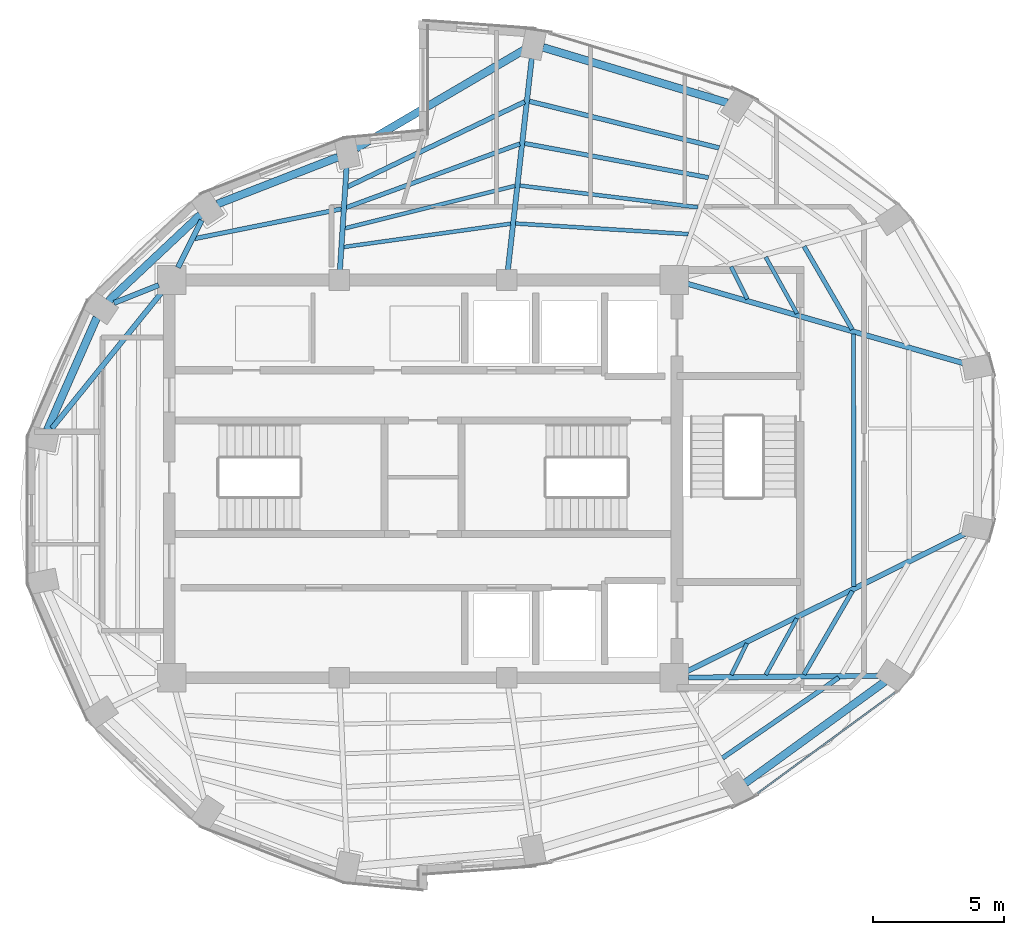
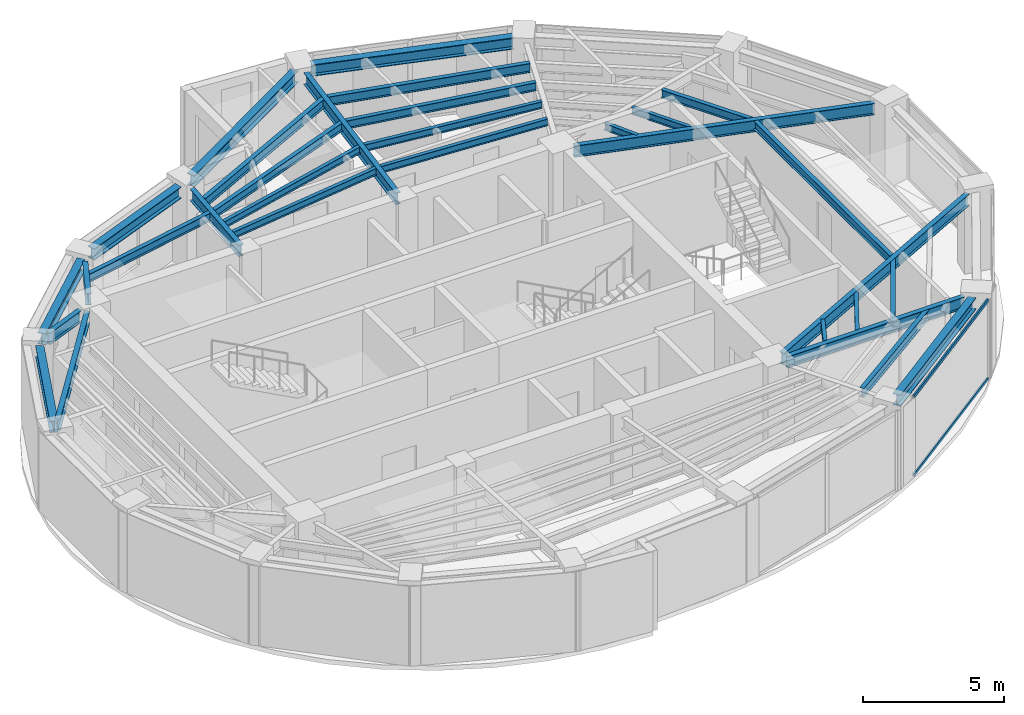
# One storey, part 3 of 13: 31 beams, 2 members, 1 element without a shape of its own.
"""IFC4 building model written with IfcOpenShell, lengths in metres."""

from ifc_helpers import new_model, si_unit, direction, frame, origin, origin_2d, place, context, subcontext, project, spatial, hollow_rectangle, i_section, extrude, material, layer, layer_set, material_profile, profile_set, type_object, element, aggregate, save


model = new_model("IFC4")

# Units and contexts
model_context = context("Model", 3, precision=1e-05, world=origin(), true_north=direction((0.0, 1.0)))
body_context = subcontext(model_context, "Body", "Model", "MODEL_VIEW")
ifc_project = project(units=[si_unit("LENGTHUNIT", "METRE"), si_unit("AREAUNIT", "SQUARE_METRE"), si_unit("VOLUMEUNIT", "CUBIC_METRE"), si_unit("PLANEANGLEUNIT", "RADIAN"), si_unit("MASSUNIT", "GRAM", prefix="KILO")], contexts=[model_context])

# Site, building, storey
site_placement = place(None, origin())
site = spatial("IfcSite", under=ifc_project, at=site_placement, CompositionType="ELEMENT")
building_placement = place(site_placement, origin())
building = spatial("IfcBuilding", under=site, at=building_placement, Name="Lazwardi Medical Tower", CompositionType="ELEMENT")
storey_placement = place(building_placement, frame((0.0, 0.0, 295.152099609375)))
storey = spatial("IfcBuildingStorey", under=building, at=storey_placement, Name="L77", CompositionType="ELEMENT", Elevation=295.152099609375)

# Beams
ifc_material_1 = material(Name="Steel S355", Category="steel")
ifc_material_profile_1 = material_profile(ifc_material_1, i_section(OverallWidth=0.300048828125, OverallDepth=0.5, WebThickness=0.014404296875, FlangeThickness=0.028076171875, at=origin_2d()), Name="HEB 500")
ifc_profile_set_1 = profile_set([ifc_material_profile_1], Name="Steel S355")
beam_type_1 = type_object("IfcBeamType", Name="BM-RB-Z4", PredefinedType="BEAM", material=ifc_profile_set_1)
beam_1_placement = place(storey_placement, frame((48.31591796875, 16.375244140625, 3.197998046875), z_axis=(0.808889916254, 0.587960120571, 0.0), x_axis=(-0.587960120571, 0.808889916254, 0.0)))
element("IfcBeam", 1, at=beam_1_placement, inside=storey, type_object=beam_type_1, Name="Ring beam RB-05 B02 L77", PredefinedType="BEAM", context=body_context, shape_type="SweptSolid", body=[
    extrude(i_section(OverallWidth=0.300048828125, OverallDepth=0.5, WebThickness=0.014404296875, FlangeThickness=0.028076171875, at=origin_2d()), origin(), (0.0, 0.0, 1.0), 6.587158203125),
])
beam_2_placement = place(storey_placement, frame((47.626953125, 42.366455078125, 3.197998046875), z_axis=(-0.957544311906, 0.288286126506, 0.0), x_axis=(-0.288286126506, -0.957544311906, 0.0)))
element("IfcBeam", 2, at=beam_2_placement, inside=storey, type_object=beam_type_1, Name="Ring beam RB-05 B07 L77", PredefinedType="BEAM", context=body_context, shape_type="SweptSolid", body=[
    extrude(i_section(OverallWidth=0.300048828125, OverallDepth=0.5, WebThickness=0.014404296875, FlangeThickness=0.028076171875, at=origin_2d()), origin(), (0.0, 0.0, 1.0), 7.3515625),
])
beam_3_placement = place(storey_placement, frame((39.877685546875, 44.40087890625, 3.197998046875), z_axis=(-0.862560933033, -0.505953196259, 0.0), x_axis=(0.505953196259, -0.862560933033, 0.0)))
element("IfcBeam", 3, at=beam_3_placement, inside=storey, type_object=beam_type_1, Name="Ring beam RB-05 B08 L77", PredefinedType="BEAM", context=body_context, shape_type="SweptSolid", body=[
    extrude(i_section(OverallWidth=0.300048828125, OverallDepth=0.5, WebThickness=0.014404296875, FlangeThickness=0.028076171875, at=origin_2d()), origin(), (0.0, 0.0, 1.0), 7.452880859375),
])
beam_4_placement = place(storey_placement, frame((32.749267578125, 40.29150390625, 3.197998046875), z_axis=(-0.931959260109, -0.362563011761, 0.0), x_axis=(0.362563011761, -0.931959260109, 0.0)))
element("IfcBeam", 4, at=beam_4_placement, inside=storey, type_object=beam_type_1, Name="Ring beam RB-05 B09 L77", PredefinedType="BEAM", context=body_context, shape_type="SweptSolid", body=[
    extrude(i_section(OverallWidth=0.300048828125, OverallDepth=0.5, WebThickness=0.014404296875, FlangeThickness=0.028076171875, at=origin_2d()), origin(), (0.0, 0.0, 1.0), 4.944580078125),
])
beam_5_placement = place(storey_placement, frame((27.493408203125, 38.09033203125, 3.197998046875), z_axis=(-0.728935349177, -0.684582541934, 0.0), x_axis=(0.684582541934, -0.728935349177, 0.0)))
element("IfcBeam", 5, at=beam_5_placement, inside=storey, type_object=beam_type_1, Name="Ring beam RB-05 B10 L77", PredefinedType="BEAM", context=body_context, shape_type="SweptSolid", body=[
    extrude(i_section(OverallWidth=0.300048828125, OverallDepth=0.5, WebThickness=0.014404296875, FlangeThickness=0.028076171875, at=origin_2d()), origin(), (0.0, 0.0, 1.0), 4.822021484375),
])
beam_6_placement = place(storey_placement, frame((23.536865234375, 34.16552734375, 3.197998046875), z_axis=(-0.403522451548, -0.914969743268, 0.0), x_axis=(0.914969743268, -0.403522451548, 0.0)))
element("IfcBeam", 6, at=beam_6_placement, inside=storey, type_object=beam_type_1, Name="Ring beam RB-05 B11 L77", PredefinedType="BEAM", context=body_context, shape_type="SweptSolid", body=[
    extrude(i_section(OverallWidth=0.300048828125, OverallDepth=0.5, WebThickness=0.014404296875, FlangeThickness=0.028076171875, at=origin_2d()), origin(), (0.0, 0.0, 1.0), 4.6962890625),
])
ifc_material_profile_2 = material_profile(ifc_material_1, i_section(OverallWidth=0.199951171875, OverallDepth=0.5, WebThickness=0.01025390625, FlangeThickness=0.01611328125, at=origin_2d()), Name="IPE 500")
ifc_profile_set_2 = profile_set([ifc_material_profile_2], Name="Steel S355")
beam_type_2 = type_object("IfcBeamType", Name="BM-RG-W3", PredefinedType="BEAM", material=ifc_profile_set_2)
beam_7_placement = place(storey_placement, frame((53.4248046875, 20.472412109375, 3.197998046875), z_axis=(-0.999957282107, -0.009243049327, 0.0), x_axis=(0.009243049327, -0.999957282107, 0.0)))
element("IfcBeam", 7, at=beam_7_placement, inside=storey, type_object=beam_type_2, Name="Radial girder RG-04 R03 L77", PredefinedType="BEAM", context=body_context, shape_type="SweptSolid", body=[
    extrude(i_section(OverallWidth=0.199951171875, OverallDepth=0.5, WebThickness=0.01025390625, FlangeThickness=0.01611328125, at=origin_2d()), origin(), (0.0, 0.0, 1.0), 7.2900390625),
])
beam_8_placement = place(storey_placement, frame((56.70556640625, 25.899658203125, 3.197998046875), z_axis=(-0.896137723356, -0.443776048, 0.0), x_axis=(0.443776048, -0.896137723356, 0.0)))
element("IfcBeam", 8, at=beam_8_placement, inside=storey, type_object=beam_type_2, Name="Radial girder RG-04 R04 L77", PredefinedType="BEAM", context=body_context, shape_type="SweptSolid", body=[
    extrude(i_section(OverallWidth=0.199951171875, OverallDepth=0.5, WebThickness=0.01025390625, FlangeThickness=0.01611328125, at=origin_2d()), origin(), (0.0, 0.0, 1.0), 11.85791015625),
])
beam_9_placement = place(storey_placement, frame((56.6708984375, 32.410888671875, 3.197998046875), z_axis=(-0.960926292206, 0.276804373065, 0.0), x_axis=(-0.276804373065, -0.960926292206, 0.0)))
element("IfcBeam", 9, at=beam_9_placement, inside=storey, type_object=beam_type_2, Name="Radial girder RG-04 R05 L77", PredefinedType="BEAM", context=body_context, shape_type="SweptSolid", body=[
    extrude(i_section(OverallWidth=0.199951171875, OverallDepth=0.5, WebThickness=0.01025390625, FlangeThickness=0.01611328125, at=origin_2d()), origin(), (0.0, 0.0, 1.0), 10.986083984375),
])
beam_10_placement = place(storey_placement, frame((40.154052734375, 44.066650390625, 3.197998046875), z_axis=(-0.11196962105, -0.993711630183, 0.0), x_axis=(0.993711630183, -0.11196962105, 0.0)))
element("IfcBeam", 10, at=beam_10_placement, inside=storey, type_object=beam_type_2, Name="Radial girder RG-04 R08 L77", PredefinedType="BEAM", context=body_context, shape_type="SweptSolid", body=[
    extrude(i_section(OverallWidth=0.199951171875, OverallDepth=0.5, WebThickness=0.01025390625, FlangeThickness=0.01611328125, at=origin_2d()), origin(), (0.0, 0.0, 1.0), 8.13525390625),
])
beam_11_placement = place(storey_placement, frame((33.078125, 39.89892578125, 3.197998046875), z_axis=(-0.064536216654, -0.99791536552, 0.0), x_axis=(0.99791536552, -0.064536216654, 0.0)))
element("IfcBeam", 11, at=beam_11_placement, inside=storey, type_object=beam_type_2, Name="Radial girder RG-04 R09 L77", PredefinedType="BEAM", context=body_context, shape_type="SweptSolid", body=[
    extrude(i_section(OverallWidth=0.199951171875, OverallDepth=0.5, WebThickness=0.01025390625, FlangeThickness=0.01611328125, at=origin_2d()), origin(), (0.0, 0.0, 1.0), 3.9228515625),
])
beam_12_placement = place(storey_placement, frame((27.53857421875, 37.87890625, 3.197998046875), z_axis=(-0.446922417137, -0.894572720946, 0.0), x_axis=(0.894572720946, -0.446922417137, 0.0)))
element("IfcBeam", 12, at=beam_12_placement, inside=storey, type_object=beam_type_2, Name="Radial girder RG-04 R10 L77", PredefinedType="BEAM", context=body_context, shape_type="SweptSolid", body=[
    extrude(i_section(OverallWidth=0.199951171875, OverallDepth=0.5, WebThickness=0.01025390625, FlangeThickness=0.01611328125, at=origin_2d()), origin(), (0.0, 0.0, 1.0), 2.012451171875),
])
beam_13_placement = place(storey_placement, frame((24.191162109375, 34.72021484375, 3.197998046875), z_axis=(0.929014807026, 0.370042549347, 0.0), x_axis=(-0.370042549347, 0.929014807026, 0.0)))
element("IfcBeam", 13, at=beam_13_placement, inside=storey, type_object=beam_type_2, Name="Radial girder RG-04 R11 L77", PredefinedType="BEAM", context=body_context, shape_type="SweptSolid", body=[
    extrude(i_section(OverallWidth=0.199951171875, OverallDepth=0.5, WebThickness=0.01025390625, FlangeThickness=0.01611328125, at=origin_2d()), origin(), (0.0, 0.0, 1.0), 1.8427734375),
])
beam_14_placement = place(storey_placement, frame((21.820556640625, 29.927978515625, 3.197998046875), z_axis=(0.62820165026, 0.778050568158, 0.0), x_axis=(-0.778050568158, 0.62820165026, 0.0)))
element("IfcBeam", 14, at=beam_14_placement, inside=storey, type_object=beam_type_2, Name="Radial girder RG-04 R12 L77", PredefinedType="BEAM", context=body_context, shape_type="SweptSolid", body=[
    extrude(i_section(OverallWidth=0.199951171875, OverallDepth=0.5, WebThickness=0.01025390625, FlangeThickness=0.01611328125, at=origin_2d()), origin(), (0.0, 0.0, 1.0), 6.7548828125),
])
ifc_material_profile_3 = material_profile(ifc_material_1, i_section(OverallWidth=0.179931640625, OverallDepth=0.39990234375, WebThickness=0.008544921875, FlangeThickness=0.013427734375, at=origin_2d()), Name="IPE 400")
ifc_profile_set_3 = profile_set([ifc_material_profile_3], Name="Steel S355")
beam_type_3 = type_object("IfcBeamType", Name="BM-SJ-01", PredefinedType="JOIST", material=ifc_profile_set_3)
beam_15_placement = place(storey_placement, frame((47.440673828125, 17.330322265625, 3.247802734375), z_axis=(0.822596712765, 0.568625226443, 0.0), x_axis=(-0.568625226443, 0.822596712765, 0.0)))
element("IfcBeam", 15, at=beam_15_placement, inside=storey, type_object=beam_type_3, Name="Secondary joist SJ-01 R1 B02 L77", PredefinedType="JOIST", context=body_context, shape_type="SweptSolid", body=[
    extrude(i_section(OverallWidth=0.179931640625, OverallDepth=0.39990234375, WebThickness=0.008544921875, FlangeThickness=0.013427734375, at=origin_2d()), origin(), (0.0, 0.0, 1.0), 5.4072265625),
])
beam_16_placement = place(storey_placement, frame((47.319091796875, 40.64404296875, 3.247802734375), z_axis=(-0.971096035988, 0.23868910509, 0.0), x_axis=(-0.23868910509, -0.971096035988, 0.0)))
element("IfcBeam", 16, at=beam_16_placement, inside=storey, type_object=beam_type_3, Name="Secondary joist SJ-01 R1 B07 L77", PredefinedType="JOIST", context=body_context, shape_type="SweptSolid", body=[
    extrude(i_section(OverallWidth=0.179931640625, OverallDepth=0.39990234375, WebThickness=0.008544921875, FlangeThickness=0.013427734375, at=origin_2d()), origin(), (0.0, 0.0, 1.0), 7.470703125),
])
beam_17_placement = place(storey_placement, frame((39.88623046875, 42.40869140625, 3.247802734375), z_axis=(-0.901499730142, -0.432779662823, 0.0), x_axis=(0.432779662823, -0.901499730142, 0.0)))
element("IfcBeam", 17, at=beam_17_placement, inside=storey, type_object=beam_type_3, Name="Secondary joist SJ-01 R1 B08 L77", PredefinedType="JOIST", context=body_context, shape_type="SweptSolid", body=[
    extrude(i_section(OverallWidth=0.179931640625, OverallDepth=0.39990234375, WebThickness=0.008544921875, FlangeThickness=0.013427734375, at=origin_2d()), origin(), (0.0, 0.0, 1.0), 7.512939453125),
])
ifc_material_profile_4 = material_profile(ifc_material_1, i_section(OverallWidth=0.169921875, OverallDepth=0.360107421875, WebThickness=0.008056640625, FlangeThickness=0.0126953125, at=origin_2d()), Name="IPE 360")
ifc_profile_set_4 = profile_set([ifc_material_profile_4], Name="Steel S355")
beam_type_4 = type_object("IfcBeamType", Name="BM-SJ-02", PredefinedType="JOIST", material=ifc_profile_set_4)
beam_18_placement = place(storey_placement, frame((50.556640625, 20.527587890625, 3.267822265625), z_axis=(0.502428077017, 0.864619007092, 0.0), x_axis=(-0.864619007092, 0.502428077017, 0.0)))
element("IfcBeam", 18, at=beam_18_placement, inside=storey, type_object=beam_type_4, Name="Secondary joist SJ-02 R2 B03 L77", PredefinedType="JOIST", context=body_context, shape_type="SweptSolid", body=[
    extrude(i_section(OverallWidth=0.169921875, OverallDepth=0.360107421875, WebThickness=0.008056640625, FlangeThickness=0.0126953125, at=origin_2d()), origin(), (0.0, 0.0, 1.0), 3.683837890625),
])
beam_19_placement = place(storey_placement, frame((52.455078125, 23.889892578125, 3.267822265625), z_axis=(-0.000708932372, 0.999999748707, 0.0), x_axis=(-0.999999748707, -0.000708932372, 0.0)))
element("IfcBeam", 19, at=beam_19_placement, inside=storey, type_object=beam_type_4, Name="Secondary joist SJ-02 R2 B04 L77", PredefinedType="JOIST", context=body_context, shape_type="SweptSolid", body=[
    extrude(i_section(OverallWidth=0.169921875, OverallDepth=0.360107421875, WebThickness=0.008056640625, FlangeThickness=0.0126953125, at=origin_2d()), origin(), (0.0, 0.0, 1.0), 9.642578125),
])
beam_20_placement = place(storey_placement, frame((52.400390625, 33.70947265625, 3.267822265625), z_axis=(-0.501626451559, 0.865084332939, 0.0), x_axis=(-0.865084332939, -0.501626451559, 0.0)))
element("IfcBeam", 20, at=beam_20_placement, inside=storey, type_object=beam_type_4, Name="Secondary joist SJ-02 R2 B05 L77", PredefinedType="JOIST", context=body_context, shape_type="SweptSolid", body=[
    extrude(i_section(OverallWidth=0.169921875, OverallDepth=0.360107421875, WebThickness=0.008056640625, FlangeThickness=0.0126953125, at=origin_2d()), origin(), (0.0, 0.0, 1.0), 3.668212890625),
])
beam_21_placement = place(storey_placement, frame((46.910400390625, 39.50927734375, 3.267822265625), z_axis=(-0.98315560802, 0.182770485635, 0.0), x_axis=(-0.182770485635, -0.98315560802, 0.0)))
element("IfcBeam", 21, at=beam_21_placement, inside=storey, type_object=beam_type_4, Name="Secondary joist SJ-02 R2 B07 L77", PredefinedType="JOIST", context=body_context, shape_type="SweptSolid", body=[
    extrude(i_section(OverallWidth=0.169921875, OverallDepth=0.360107421875, WebThickness=0.008056640625, FlangeThickness=0.0126953125, at=origin_2d()), origin(), (0.0, 0.0, 1.0), 7.147705078125),
])
beam_22_placement = place(storey_placement, frame((39.700439453125, 40.80029296875, 3.267822265625), z_axis=(-0.938784720842, -0.34450435108, 0.0), x_axis=(0.34450435108, -0.938784720842, 0.0)))
element("IfcBeam", 22, at=beam_22_placement, inside=storey, type_object=beam_type_4, Name="Secondary joist SJ-02 R2 B08 L77", PredefinedType="JOIST", context=body_context, shape_type="SweptSolid", body=[
    extrude(i_section(OverallWidth=0.169921875, OverallDepth=0.360107421875, WebThickness=0.008056640625, FlangeThickness=0.0126953125, at=origin_2d()), origin(), (0.0, 0.0, 1.0), 7.06689453125),
])
beam_23_placement = place(storey_placement, frame((32.8837890625, 38.314208984375, 3.267822265625), z_axis=(-0.980097246244, -0.198517978793, 0.0), x_axis=(0.198517978793, -0.980097246244, 0.0)))
element("IfcBeam", 23, at=beam_23_placement, inside=storey, type_object=beam_type_4, Name="Secondary joist SJ-02 R2 B09 L77", PredefinedType="JOIST", context=body_context, shape_type="SweptSolid", body=[
    extrude(i_section(OverallWidth=0.169921875, OverallDepth=0.360107421875, WebThickness=0.008056640625, FlangeThickness=0.0126953125, at=origin_2d()), origin(), (0.0, 0.0, 1.0), 5.72607421875),
])
ifc_material_profile_5 = material_profile(ifc_material_1, i_section(OverallWidth=0.14990234375, OverallDepth=0.300048828125, WebThickness=0.007080078125, FlangeThickness=0.0107421875, at=origin_2d()), Name="IPE 300")
ifc_profile_set_5 = profile_set([ifc_material_profile_5], Name="Steel S355")
beam_type_5 = type_object("IfcBeamType", Name="BM-SJ-03", PredefinedType="JOIST", material=ifc_profile_set_5)
beam_24_placement = place(storey_placement, frame((49.096923828125, 20.51513671875, 3.2978515625), z_axis=(0.484356732643, 0.874870593598, 0.0), x_axis=(-0.874870593598, 0.484356732643, 0.0)))
element("IfcBeam", 24, at=beam_24_placement, inside=storey, type_object=beam_type_5, Name="Secondary joist SJ-03 R3 B03 L77", PredefinedType="JOIST", context=body_context, shape_type="SweptSolid", body=[
    extrude(i_section(OverallWidth=0.14990234375, OverallDepth=0.300048828125, WebThickness=0.007080078125, FlangeThickness=0.0107421875, at=origin_2d()), origin(), (0.0, 0.0, 1.0), 2.45068359375),
])
beam_25_placement = place(storey_placement, frame((50.290771484375, 34.318603515625, 3.2978515625), z_axis=(-0.485634526525, 0.874161945321, 0.0), x_axis=(-0.874161945321, -0.485634526525, 0.0)))
element("IfcBeam", 25, at=beam_25_placement, inside=storey, type_object=beam_type_5, Name="Secondary joist SJ-03 R3 B05 L77", PredefinedType="JOIST", context=body_context, shape_type="SweptSolid", body=[
    extrude(i_section(OverallWidth=0.14990234375, OverallDepth=0.300048828125, WebThickness=0.007080078125, FlangeThickness=0.0107421875, at=origin_2d()), origin(), (0.0, 0.0, 1.0), 2.46630859375),
])
beam_26_placement = place(storey_placement, frame((46.502197265625, 38.373779296875, 3.2978515625), z_axis=(-0.992619429406, 0.121271053287, 0.0), x_axis=(-0.121271053287, -0.992619429406, 0.0)))
element("IfcBeam", 26, at=beam_26_placement, inside=storey, type_object=beam_type_5, Name="Secondary joist SJ-03 R3 B07 L77", PredefinedType="JOIST", context=body_context, shape_type="SweptSolid", body=[
    extrude(i_section(OverallWidth=0.14990234375, OverallDepth=0.300048828125, WebThickness=0.007080078125, FlangeThickness=0.0107421875, at=origin_2d()), origin(), (0.0, 0.0, 1.0), 6.850830078125),
])
beam_27_placement = place(storey_placement, frame((39.515380859375, 39.193359375, 3.2978515625), z_axis=(-0.970279606817, -0.241986538045, 0.0), x_axis=(0.241986538045, -0.970279606817, 0.0)))
element("IfcBeam", 27, at=beam_27_placement, inside=storey, type_object=beam_type_5, Name="Secondary joist SJ-03 R3 B08 L77", PredefinedType="JOIST", context=body_context, shape_type="SweptSolid", body=[
    extrude(i_section(OverallWidth=0.14990234375, OverallDepth=0.300048828125, WebThickness=0.007080078125, FlangeThickness=0.0107421875, at=origin_2d()), origin(), (0.0, 0.0, 1.0), 6.696044921875),
])
beam_28_placement = place(storey_placement, frame((47.78076171875, 20.5048828125, 3.2978515625), z_axis=(0.442264453687, 0.896884693261, 0.0), x_axis=(-0.896884693261, 0.442264453687, 0.0)))
element("IfcBeam", 28, at=beam_28_placement, inside=storey, type_object=beam_type_5, Name="Secondary joist SJ-03 R4 B03 L77", PredefinedType="JOIST", context=body_context, shape_type="SweptSolid", body=[
    extrude(i_section(OverallWidth=0.14990234375, OverallDepth=0.300048828125, WebThickness=0.007080078125, FlangeThickness=0.0107421875, at=origin_2d()), origin(), (0.0, 0.0, 1.0), 1.343505859375),
])
beam_29_placement = place(storey_placement, frame((48.393798828125, 34.867919921875, 3.2978515625), z_axis=(-0.449607078784, 0.893226440891, 0.0), x_axis=(-0.893226440891, -0.449607078784, 0.0)))
element("IfcBeam", 29, at=beam_29_placement, inside=storey, type_object=beam_type_5, Name="Secondary joist SJ-03 R4 B05 L77", PredefinedType="JOIST", context=body_context, shape_type="SweptSolid", body=[
    extrude(i_section(OverallWidth=0.14990234375, OverallDepth=0.300048828125, WebThickness=0.007080078125, FlangeThickness=0.0107421875, at=origin_2d()), origin(), (0.0, 0.0, 1.0), 1.38623046875),
])
beam_30_placement = place(storey_placement, frame((46.135009765625, 37.3515625, 3.2978515625), z_axis=(-0.998131677286, 0.061099548269, 0.0), x_axis=(-0.061099548269, -0.998131677286, 0.0)))
element("IfcBeam", 30, at=beam_30_placement, inside=storey, type_object=beam_type_5, Name="Secondary joist SJ-03 R4 B07 L77", PredefinedType="JOIST", context=body_context, shape_type="SweptSolid", body=[
    extrude(i_section(OverallWidth=0.14990234375, OverallDepth=0.300048828125, WebThickness=0.007080078125, FlangeThickness=0.0107421875, at=origin_2d()), origin(), (0.0, 0.0, 1.0), 6.609130859375),
])
beam_31_placement = place(storey_placement, frame((39.349365234375, 37.748046875, 3.2978515625), z_axis=(-0.990406947737, -0.138181322454, 0.0), x_axis=(0.138181322454, -0.990406947737, 0.0)))
element("IfcBeam", 31, at=beam_31_placement, inside=storey, type_object=beam_type_5, Name="Secondary joist SJ-03 R4 B08 L77", PredefinedType="JOIST", context=body_context, shape_type="SweptSolid", body=[
    extrude(i_section(OverallWidth=0.14990234375, OverallDepth=0.300048828125, WebThickness=0.007080078125, FlangeThickness=0.0107421875, at=origin_2d()), origin(), (0.0, 0.0, 1.0), 6.4365234375),
])

# Curtain wall, members
ifc_material_2 = material(Name="Anodised bronze aluminium and solar control glazing", Category="aluminium")
ifc_layer = layer(ifc_material_2, 0.18994140625)
ifc_layer_set = layer_set([ifc_layer], Name="Anodised bronze aluminium and solar control glazing")
curtain_wall_type = type_object("IfcCurtainWallType", Name="CW-SYS-04", PredefinedType="NOTDEFINED", material=ifc_layer_set)
curtain_wall_placement = place(storey_placement, origin())
curtain_wall = element("IfcCurtainWall", 32, at=curtain_wall_placement, inside=storey, type_object=curtain_wall_type, Name="L77 Unitised bronze curtain wall CW-04", PredefinedType="NOTDEFINED")
ifc_material_3 = material(Name="Anodised bronze aluminium", Category="aluminium")
ifc_material_profile_6 = material_profile(ifc_material_3, hollow_rectangle(XDim=0.06494140625, YDim=0.139892578125, WallThickness=0.00341796875, at=origin_2d()), Name="ALU-TRANSOM 140x65x3.5")
ifc_profile_set_6 = profile_set([ifc_material_profile_6], Name="Anodised bronze aluminium")
member_type = type_object("IfcMemberType", Name="CW-TRN-03", PredefinedType="USERDEFINED", material=ifc_profile_set_6)
member_1_placement = place(storey_placement, frame((48.781494140625, 15.984375, 0.032470703125), z_axis=(0.80648973359, 0.591248094808, 0.0), x_axis=(-0.591248094808, 0.80648973359, 0.0)))
member_1 = element("IfcMember", 33, at=member_1_placement, type_object=member_type, Name="CW-04 transom 1.1", ObjectType="TRANSOM", PredefinedType="USERDEFINED", context=body_context, shape_type="SweptSolid", body=[
    extrude(hollow_rectangle(XDim=0.06494140625, YDim=0.139892578125, WallThickness=0.00341796875, at=origin_2d()), origin(), (0.0, 0.0, 1.0), 6.502685546875),
])
member_2_placement = place(storey_placement, frame((48.781494140625, 15.984375, 3.415283203125), z_axis=(0.80648973359, 0.591248094808, 0.0), x_axis=(-0.591248094808, 0.80648973359, 0.0)))
member_2 = element("IfcMember", 34, at=member_2_placement, type_object=member_type, Name="CW-04 transom 1.2", ObjectType="TRANSOM", PredefinedType="USERDEFINED", context=body_context, shape_type="SweptSolid", body=[
    extrude(hollow_rectangle(XDim=0.06494140625, YDim=0.139892578125, WallThickness=0.00341796875, at=origin_2d()), origin(), (0.0, 0.0, 1.0), 6.502685546875),
])
aggregate(curtain_wall, [member_1, member_2])

save(model, "model.ifc")
